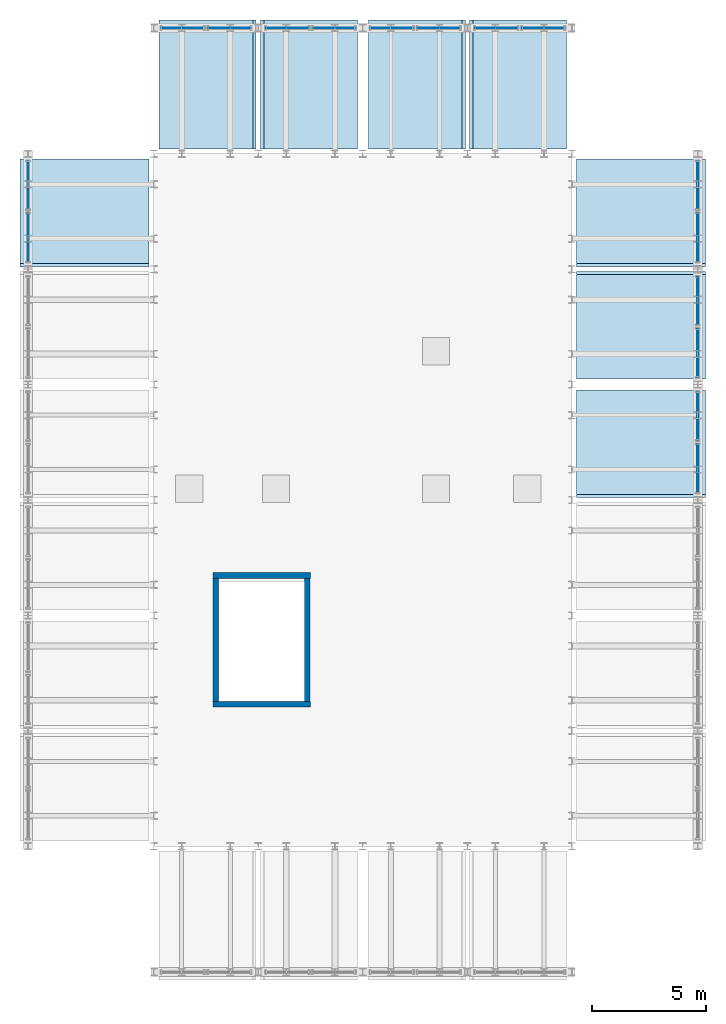
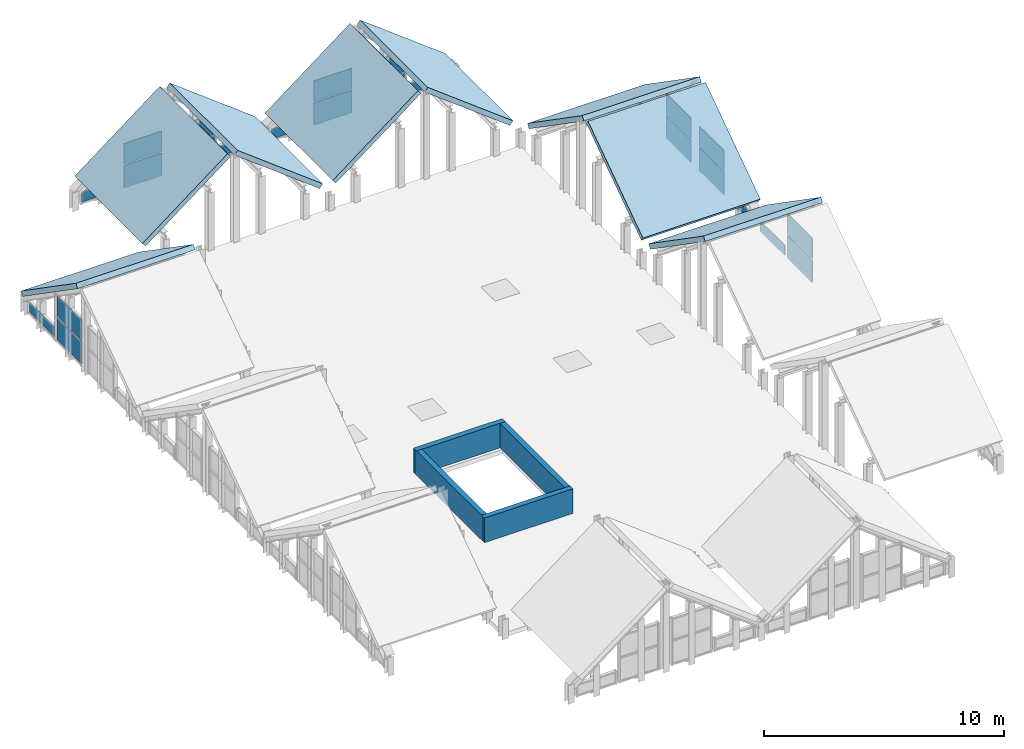
# One storey, part 21 of 21: 24 plates, 8 slabs, 4 walls, 16 elements without a shape of their own.
"""IFC4 building model written with IfcOpenShell, lengths in metres."""

from ifc_helpers import new_model, si_unit, direction, frame, frame_2d, origin, origin_2d, place, context, subcontext, project, spatial, polyline, rectangle, outline, extrude, source, transform, mapped, material, layer, layer_set, type_object, element, aggregate, save


model = new_model("IFC4")

# Units and contexts
model_context = context("Model", 3, precision=1e-05, world=origin(), true_north=direction((0.0, 1.0)))
body_context = subcontext(model_context, "Body", "Model", "MODEL_VIEW")
ifc_project = project(units=[si_unit("LENGTHUNIT", "METRE"), si_unit("AREAUNIT", "SQUARE_METRE"), si_unit("VOLUMEUNIT", "CUBIC_METRE"), si_unit("PLANEANGLEUNIT", "RADIAN"), si_unit("MASSUNIT", "GRAM", prefix="KILO")], contexts=[model_context])

# Site, building, storey
site_placement = place(None, origin())
site = spatial("IfcSite", under=ifc_project, at=site_placement, CompositionType="ELEMENT")
building_placement = place(site_placement, origin())
building = spatial("IfcBuilding", under=site, at=building_placement, Name="Saelheon Loggia Tower", CompositionType="ELEMENT")
storey_placement = place(building_placement, frame((0.0, 0.0, 275.0)))
storey = spatial("IfcBuildingStorey", under=building, at=storey_placement, Name="ROOF", CompositionType="ELEMENT", Elevation=275.0)

# Slabs
ifc_material_1 = material(Name="Precast Concrete C45/55", Category="concrete")
ifc_layer_1 = layer(ifc_material_1, 0.239990234375)
ifc_layer_set_1 = layer_set([ifc_layer_1], Name="Precast Concrete C45/55")
slab_type = type_object("IfcSlabType", Name="Slab_WaveRoof_240", PredefinedType="ROOF", material=ifc_layer_set_1)
slab_1_placement = place(storey_placement, frame((23.0, 37.340087890625, 4.3837890625), z_axis=(0.0, 0.569666537561, 0.821875924932), x_axis=(1.0, 0.0, 0.0)))
element("IfcSlab", 1, at=slab_1_placement, inside=storey, type_object=slab_type, Name="Crown Wave Crest Roof Facet 06", PredefinedType="ROOF", context=body_context, shape_type="SweptSolid", body=[
    extrude(outline(polyline([(0.0, 0.0), (5.64990234375, 0.0), (5.64990234375, 5.560236137987916), (0.0, 5.560236137987916), (0.0, 0.0)])), origin(), (0.0, 0.0, -1.0), 0.239990234375),
])
for number, where, z_axis, x_axis, name in (
    (2, (47.35009765625, 27.239990234375, 4.3837890625), (0.0, 0.56964598046, 0.821890173287), (1.0, 0.0, 0.0), "Crown Wave Crest Roof Facet 10"),
    (3, (47.35009765625, 32.2900390625, 1.21630859375), (0.0, -0.56964598046, 0.821890173287), (1.0, 0.0, 0.0), "Crown Wave Crest Roof Facet 11"),
):
    element("IfcSlab", number, at=place(storey_placement, frame(where, z_axis=z_axis, x_axis=x_axis)), inside=storey, type_object=slab_type, Name=name, PredefinedType="ROOF", context=body_context, shape_type="SweptSolid", body=[
        extrude(outline(polyline([(0.0, 0.0), (5.64990234375, 0.0), (5.64990234375, 5.560436793029233), (0.0, 5.560436793029233), (0.0, 0.0)])), origin(), (0.0, 0.0, -1.0), 0.239990234375),
    ])
slab_2_placement = place(storey_placement, frame((47.35009765625, 37.340087890625, 4.3837890625), z_axis=(0.0, 0.569666537561, 0.821875924932), x_axis=(1.0, 0.0, 0.0)))
element("IfcSlab", 4, at=slab_2_placement, inside=storey, type_object=slab_type, Name="Crown Wave Crest Roof Facet 12", PredefinedType="ROOF", context=body_context, shape_type="SweptSolid", body=[
    extrude(outline(polyline([(0.0, 0.0), (5.64990234375, 0.0), (5.64990234375, 5.560236137987916), (0.0, 5.560236137987916), (0.0, 0.0)])), origin(), (0.0, 0.0, -1.0), 0.239990234375),
])
for number, where, z_axis, x_axis, name in (
    (5, (29.090087890625, 42.35009765625, 1.233642578125), (-0.607617065771, 0.0, 0.794230131249), (0.0, 1.0, 0.0), "Crown Wave Crest Roof Facet 17"),
    (6, (33.6650390625, 42.35009765625, 4.366455078125), (0.607617065771, 0.0, 0.794230131249), (0.0, 1.0, 0.0), "Crown Wave Crest Roof Facet 18"),
    (7, (38.239990234375, 42.35009765625, 1.233642578125), (-0.607617065771, 0.0, 0.794230131249), (0.0, 1.0, 0.0), "Crown Wave Crest Roof Facet 19"),
    (8, (42.81494140625, 42.35009765625, 4.366455078125), (0.607617065771, 0.0, 0.794230131249), (0.0, 1.0, 0.0), "Crown Wave Crest Roof Facet 20"),
):
    element("IfcSlab", number, at=place(storey_placement, frame(where, z_axis=z_axis, x_axis=x_axis)), inside=storey, type_object=slab_type, Name=name, PredefinedType="ROOF", context=body_context, shape_type="SweptSolid", body=[
        extrude(outline(polyline([(0.0, 0.0), (5.64990234375, 0.0), (5.64990234375, -5.155899457864583), (0.0, -5.155899457864583), (0.0, 0.0)])), origin(), (0.0, 0.0, -1.0), 0.239990234375),
    ])

# Curtain wall, plate
ifc_material_2 = material(Name="Bronze-Anodised Aluminium and Fritted Ceramic Screen", Category="aluminium")
ifc_layer_2 = layer(ifc_material_2, 0.219970703125)
ifc_layer_set_2 = layer_set([ifc_layer_2], Name="Bronze-Anodised Aluminium and Fritted Ceramic Screen")
curtain_wall_type = type_object("IfcCurtainWallType", Name="CW_CrownScreen", PredefinedType="NOTDEFINED", material=ifc_layer_set_2)
curtain_wall_1_placement = place(storey_placement, origin())
curtain_wall_1 = element("IfcCurtainWall", 9, at=curtain_wall_1_placement, inside=storey, type_object=curtain_wall_type, Name="ROOF Wave Crest Curtain Wall W 06-2", PredefinedType="NOTDEFINED")
ifc_material_3 = material(Name="Bronze Ceramic Fritted Spandrel Panel", Category="aluminium")
ifc_layer_3 = layer(ifc_material_3, 0.0380859375)
ifc_layer_set_3 = layer_set([ifc_layer_3], Name="Bronze Ceramic Fritted Spandrel Panel")
plate_type = type_object("IfcPlateType", Name="CW_CrownScreen_Panel", PredefinedType="CURTAIN_PANEL", material=ifc_layer_set_3)
shared_shape_1 = source(origin(), body_context, "Body", "SweptSolid", [
    extrude(rectangle(XDim=2.06494140625, YDim=0.0380859375, at=origin_2d()), origin(), (0.0, 0.0, 1.0), 0.510009765625),
])
plate_1_placement = place(storey_placement, frame((23.35009765625, 40.767578125, 0.08984375), z_axis=(0.0, 0.0, 1.0), x_axis=(0.0, 1.0, 0.0)))
plate_1 = element("IfcPlate", 10, at=plate_1_placement, type_object=plate_type, Name="CW6 panel 1.1", PredefinedType="CURTAIN_PANEL", context=body_context, shape_type="MappedRepresentation", body=[
    mapped(shared_shape_1, transform((0.0, 0.0, 0.0), scale=1.0)),
])
aggregate(curtain_wall_1, [plate_1])

curtain_wall_2_placement = place(storey_placement, origin())
curtain_wall_2 = element("IfcCurtainWall", 11, at=curtain_wall_2_placement, inside=storey, type_object=curtain_wall_type, Name="ROOF Wave Crest Curtain Wall E 04-2", PredefinedType="NOTDEFINED")
plate_2_placement = place(storey_placement, frame((52.64990234375, 30.66748046875, 0.08984375), z_axis=(0.0, 0.0, 1.0), x_axis=(0.0, 1.0, 0.0)))
plate_2 = element("IfcPlate", 12, at=plate_2_placement, type_object=plate_type, Name="CW6 panel 1.1", PredefinedType="CURTAIN_PANEL", context=body_context, shape_type="MappedRepresentation", body=[
    mapped(shared_shape_1, transform((0.0, 0.0, 0.0), scale=1.0)),
])
aggregate(curtain_wall_2, [plate_2])

curtain_wall_3_placement = place(storey_placement, origin())
curtain_wall_3 = element("IfcCurtainWall", 13, at=curtain_wall_3_placement, inside=storey, type_object=curtain_wall_type, Name="ROOF Wave Crest Curtain Wall E 05-1", PredefinedType="NOTDEFINED")
plate_3_placement = place(storey_placement, frame((52.64990234375, 33.4326171875, 0.08984375), z_axis=(0.0, 0.0, 1.0), x_axis=(0.0, 1.0, 0.0)))
plate_3 = element("IfcPlate", 14, at=plate_3_placement, type_object=plate_type, Name="CW6 panel 1.1", PredefinedType="CURTAIN_PANEL", context=body_context, shape_type="MappedRepresentation", body=[
    mapped(shared_shape_1, transform((0.0, 0.0, 0.0), scale=1.0)),
])
aggregate(curtain_wall_3, [plate_3])

curtain_wall_4_placement = place(storey_placement, origin())
curtain_wall_4 = element("IfcCurtainWall", 15, at=curtain_wall_4_placement, inside=storey, type_object=curtain_wall_type, Name="ROOF Wave Crest Curtain Wall E 06-2", PredefinedType="NOTDEFINED")
plate_4_placement = place(storey_placement, frame((52.64990234375, 40.767578125, 0.08984375), z_axis=(0.0, 0.0, 1.0), x_axis=(0.0, 1.0, 0.0)))
plate_4 = element("IfcPlate", 16, at=plate_4_placement, type_object=plate_type, Name="CW6 panel 1.1", PredefinedType="CURTAIN_PANEL", context=body_context, shape_type="MappedRepresentation", body=[
    mapped(shared_shape_1, transform((0.0, 0.0, 0.0), scale=1.0)),
])
aggregate(curtain_wall_4, [plate_4])

curtain_wall_5_placement = place(storey_placement, origin())
curtain_wall_5 = element("IfcCurtainWall", 17, at=curtain_wall_5_placement, inside=storey, type_object=curtain_wall_type, Name="ROOF Wave Crest Curtain Wall W 06-1", PredefinedType="NOTDEFINED")
shared_shape_2 = source(origin(), body_context, "Body", "SweptSolid", [
    extrude(rectangle(XDim=2.06494140625, YDim=0.0380859375, at=origin_2d()), origin(), (0.0, 0.0, 1.0), 1.14501953125),
])
plate_5_placement = place(storey_placement, frame((23.35009765625, 38.482421875, 0.090087890625), z_axis=(0.0, 0.0, 1.0), x_axis=(0.0, 1.0, 0.0)))
plate_5 = element("IfcPlate", 18, at=plate_5_placement, type_object=plate_type, Name="CW6 panel 1.1", PredefinedType="CURTAIN_PANEL", context=body_context, shape_type="MappedRepresentation", body=[
    mapped(shared_shape_2, transform((0.0, 0.0, 0.0), scale=1.0)),
])

curtain_wall_6_placement = place(storey_placement, origin())
curtain_wall_6 = element("IfcCurtainWall", 19, at=curtain_wall_6_placement, inside=storey, type_object=curtain_wall_type, Name="ROOF Wave Crest Curtain Wall E 04-1", PredefinedType="NOTDEFINED")
plate_6_placement = place(storey_placement, frame((52.64990234375, 28.382568359375, 0.090087890625), z_axis=(0.0, 0.0, 1.0), x_axis=(0.0, 1.0, 0.0)))
plate_6 = element("IfcPlate", 20, at=plate_6_placement, type_object=plate_type, Name="CW6 panel 1.1", PredefinedType="CURTAIN_PANEL", context=body_context, shape_type="MappedRepresentation", body=[
    mapped(shared_shape_2, transform((0.0, 0.0, 0.0), scale=1.0)),
])

curtain_wall_7_placement = place(storey_placement, origin())
curtain_wall_7 = element("IfcCurtainWall", 21, at=curtain_wall_7_placement, inside=storey, type_object=curtain_wall_type, Name="ROOF Wave Crest Curtain Wall E 05-2", PredefinedType="NOTDEFINED")
plate_7_placement = place(storey_placement, frame((52.64990234375, 35.717529296875, 0.090087890625), z_axis=(0.0, 0.0, 1.0), x_axis=(0.0, 1.0, 0.0)))
plate_7 = element("IfcPlate", 22, at=plate_7_placement, type_object=plate_type, Name="CW6 panel 1.1", PredefinedType="CURTAIN_PANEL", context=body_context, shape_type="MappedRepresentation", body=[
    mapped(shared_shape_2, transform((0.0, 0.0, 0.0), scale=1.0)),
])

curtain_wall_8_placement = place(storey_placement, origin())
curtain_wall_8 = element("IfcCurtainWall", 23, at=curtain_wall_8_placement, inside=storey, type_object=curtain_wall_type, Name="ROOF Wave Crest Curtain Wall E 06-1", PredefinedType="NOTDEFINED")
plate_8_placement = place(storey_placement, frame((52.64990234375, 38.482421875, 0.090087890625), z_axis=(0.0, 0.0, 1.0), x_axis=(0.0, 1.0, 0.0)))
plate_8 = element("IfcPlate", 24, at=plate_8_placement, type_object=plate_type, Name="CW6 panel 1.1", PredefinedType="CURTAIN_PANEL", context=body_context, shape_type="MappedRepresentation", body=[
    mapped(shared_shape_2, transform((0.0, 0.0, 0.0), scale=1.0)),
])

# Plate
shared_shape_3 = source(origin(), body_context, "Body", "SweptSolid", [
    extrude(rectangle(XDim=2.06494140625, YDim=0.0380859375, at=origin_2d()), origin(), (0.0, 0.0, 1.0), 1.044921875),
])
plate_9_placement = place(storey_placement, frame((23.35009765625, 38.482421875, 1.304931640625), z_axis=(0.0, 0.0, 1.0), x_axis=(0.0, 1.0, 0.0)))
plate_9 = element("IfcPlate", 25, at=plate_9_placement, type_object=plate_type, Name="CW6 panel 1.2", PredefinedType="CURTAIN_PANEL", context=body_context, shape_type="MappedRepresentation", body=[
    mapped(shared_shape_3, transform((0.0, 0.0, 0.0), scale=1.0)),
])

aggregate(curtain_wall_5, [plate_5, plate_9])

plate_10_placement = place(storey_placement, frame((52.64990234375, 28.382568359375, 1.304931640625), z_axis=(0.0, 0.0, 1.0), x_axis=(0.0, 1.0, 0.0)))
plate_10 = element("IfcPlate", 26, at=plate_10_placement, type_object=plate_type, Name="CW6 panel 1.2", PredefinedType="CURTAIN_PANEL", context=body_context, shape_type="MappedRepresentation", body=[
    mapped(shared_shape_3, transform((0.0, 0.0, 0.0), scale=1.0)),
])

aggregate(curtain_wall_6, [plate_6, plate_10])

plate_11_placement = place(storey_placement, frame((52.64990234375, 35.717529296875, 1.304931640625), z_axis=(0.0, 0.0, 1.0), x_axis=(0.0, 1.0, 0.0)))
plate_11 = element("IfcPlate", 27, at=plate_11_placement, type_object=plate_type, Name="CW6 panel 1.2", PredefinedType="CURTAIN_PANEL", context=body_context, shape_type="MappedRepresentation", body=[
    mapped(shared_shape_3, transform((0.0, 0.0, 0.0), scale=1.0)),
])

aggregate(curtain_wall_7, [plate_7, plate_11])

plate_12_placement = place(storey_placement, frame((52.64990234375, 38.482421875, 1.304931640625), z_axis=(0.0, 0.0, 1.0), x_axis=(0.0, 1.0, 0.0)))
plate_12 = element("IfcPlate", 28, at=plate_12_placement, type_object=plate_type, Name="CW6 panel 1.2", PredefinedType="CURTAIN_PANEL", context=body_context, shape_type="MappedRepresentation", body=[
    mapped(shared_shape_3, transform((0.0, 0.0, 0.0), scale=1.0)),
])

aggregate(curtain_wall_8, [plate_8, plate_12])

# Curtain wall, plate
curtain_wall_9_placement = place(storey_placement, origin())
curtain_wall_9 = element("IfcCurtainWall", 29, at=curtain_wall_9_placement, inside=storey, type_object=curtain_wall_type, Name="ROOF Wave Crest Curtain Wall N 01-1", PredefinedType="NOTDEFINED")
shared_shape_4 = source(origin(), body_context, "Body", "SweptSolid", [
    extrude(rectangle(XDim=1.827392578125, YDim=0.0380859375, at=origin_2d()), origin(), (0.0, 0.0, 1.0), 0.510009765625),
])
plate_13_placement = place(storey_placement, frame((30.11376953125, 47.64990234375, 0.08984375), z_axis=(0.0, 0.0, 1.0), x_axis=(1.0, 0.0, 0.0)))
plate_13 = element("IfcPlate", 30, at=plate_13_placement, type_object=plate_type, Name="CW6 panel 1.1", PredefinedType="CURTAIN_PANEL", context=body_context, shape_type="MappedRepresentation", body=[
    mapped(shared_shape_4, transform((0.0, 0.0, 0.0), scale=1.0)),
])
aggregate(curtain_wall_9, [plate_13])

curtain_wall_10_placement = place(storey_placement, origin())
curtain_wall_10 = element("IfcCurtainWall", 31, at=curtain_wall_10_placement, inside=storey, type_object=curtain_wall_type, Name="ROOF Wave Crest Curtain Wall N 02-2", PredefinedType="NOTDEFINED")
plate_14_placement = place(storey_placement, frame((36.736328125, 47.64990234375, 0.08984375), z_axis=(0.0, 0.0, 1.0), x_axis=(1.0, 0.0, 0.0)))
plate_14 = element("IfcPlate", 32, at=plate_14_placement, type_object=plate_type, Name="CW6 panel 1.1", PredefinedType="CURTAIN_PANEL", context=body_context, shape_type="MappedRepresentation", body=[
    mapped(shared_shape_4, transform((0.0, 0.0, 0.0), scale=1.0)),
])
aggregate(curtain_wall_10, [plate_14])

curtain_wall_11_placement = place(storey_placement, origin())
curtain_wall_11 = element("IfcCurtainWall", 33, at=curtain_wall_11_placement, inside=storey, type_object=curtain_wall_type, Name="ROOF Wave Crest Curtain Wall N 03-1", PredefinedType="NOTDEFINED")
plate_15_placement = place(storey_placement, frame((39.263671875, 47.64990234375, 0.08984375), z_axis=(0.0, 0.0, 1.0), x_axis=(1.0, 0.0, 0.0)))
plate_15 = element("IfcPlate", 34, at=plate_15_placement, type_object=plate_type, Name="CW6 panel 1.1", PredefinedType="CURTAIN_PANEL", context=body_context, shape_type="MappedRepresentation", body=[
    mapped(shared_shape_4, transform((0.0, 0.0, 0.0), scale=1.0)),
])
aggregate(curtain_wall_11, [plate_15])

curtain_wall_12_placement = place(storey_placement, origin())
curtain_wall_12 = element("IfcCurtainWall", 35, at=curtain_wall_12_placement, inside=storey, type_object=curtain_wall_type, Name="ROOF Wave Crest Curtain Wall N 04-2", PredefinedType="NOTDEFINED")
plate_16_placement = place(storey_placement, frame((45.88623046875, 47.64990234375, 0.08984375), z_axis=(0.0, 0.0, 1.0), x_axis=(1.0, 0.0, 0.0)))
plate_16 = element("IfcPlate", 36, at=plate_16_placement, type_object=plate_type, Name="CW6 panel 1.1", PredefinedType="CURTAIN_PANEL", context=body_context, shape_type="MappedRepresentation", body=[
    mapped(shared_shape_4, transform((0.0, 0.0, 0.0), scale=1.0)),
])
aggregate(curtain_wall_12, [plate_16])

curtain_wall_13_placement = place(storey_placement, origin())
curtain_wall_13 = element("IfcCurtainWall", 37, at=curtain_wall_13_placement, inside=storey, type_object=curtain_wall_type, Name="ROOF Wave Crest Curtain Wall N 01-2", PredefinedType="NOTDEFINED")
shared_shape_5 = source(origin(), body_context, "Body", "SweptSolid", [
    extrude(rectangle(XDim=1.827392578125, YDim=0.0380859375, at=origin_2d()), origin(), (0.0, 0.0, 1.0), 1.14501953125),
])
plate_17_placement = place(storey_placement, frame((32.1611328125, 47.64990234375, 0.090087890625), z_axis=(0.0, 0.0, 1.0), x_axis=(1.0, 0.0, 0.0)))
plate_17 = element("IfcPlate", 38, at=plate_17_placement, type_object=plate_type, Name="CW6 panel 1.1", PredefinedType="CURTAIN_PANEL", context=body_context, shape_type="MappedRepresentation", body=[
    mapped(shared_shape_5, transform((0.0, 0.0, 0.0), scale=1.0)),
])

curtain_wall_14_placement = place(storey_placement, origin())
curtain_wall_14 = element("IfcCurtainWall", 39, at=curtain_wall_14_placement, inside=storey, type_object=curtain_wall_type, Name="ROOF Wave Crest Curtain Wall N 02-1", PredefinedType="NOTDEFINED")
plate_18_placement = place(storey_placement, frame((34.688720703125, 47.64990234375, 0.090087890625), z_axis=(0.0, 0.0, 1.0), x_axis=(1.0, 0.0, 0.0)))
plate_18 = element("IfcPlate", 40, at=plate_18_placement, type_object=plate_type, Name="CW6 panel 1.1", PredefinedType="CURTAIN_PANEL", context=body_context, shape_type="MappedRepresentation", body=[
    mapped(shared_shape_5, transform((0.0, 0.0, 0.0), scale=1.0)),
])

curtain_wall_15_placement = place(storey_placement, origin())
curtain_wall_15 = element("IfcCurtainWall", 41, at=curtain_wall_15_placement, inside=storey, type_object=curtain_wall_type, Name="ROOF Wave Crest Curtain Wall N 03-2", PredefinedType="NOTDEFINED")
plate_19_placement = place(storey_placement, frame((41.311279296875, 47.64990234375, 0.090087890625), z_axis=(0.0, 0.0, 1.0), x_axis=(1.0, 0.0, 0.0)))
plate_19 = element("IfcPlate", 42, at=plate_19_placement, type_object=plate_type, Name="CW6 panel 1.1", PredefinedType="CURTAIN_PANEL", context=body_context, shape_type="MappedRepresentation", body=[
    mapped(shared_shape_5, transform((0.0, 0.0, 0.0), scale=1.0)),
])

curtain_wall_16_placement = place(storey_placement, origin())
curtain_wall_16 = element("IfcCurtainWall", 43, at=curtain_wall_16_placement, inside=storey, type_object=curtain_wall_type, Name="ROOF Wave Crest Curtain Wall N 04-1", PredefinedType="NOTDEFINED")
plate_20_placement = place(storey_placement, frame((43.8388671875, 47.64990234375, 0.090087890625), z_axis=(0.0, 0.0, 1.0), x_axis=(1.0, 0.0, 0.0)))
plate_20 = element("IfcPlate", 44, at=plate_20_placement, type_object=plate_type, Name="CW6 panel 1.1", PredefinedType="CURTAIN_PANEL", context=body_context, shape_type="MappedRepresentation", body=[
    mapped(shared_shape_5, transform((0.0, 0.0, 0.0), scale=1.0)),
])

# Plate
shared_shape_6 = source(origin(), body_context, "Body", "SweptSolid", [
    extrude(rectangle(XDim=1.827392578125, YDim=0.0380859375, at=origin_2d()), origin(), (0.0, 0.0, 1.0), 1.044921875),
])
plate_21_placement = place(storey_placement, frame((32.1611328125, 47.64990234375, 1.304931640625), z_axis=(0.0, 0.0, 1.0), x_axis=(1.0, 0.0, 0.0)))
plate_21 = element("IfcPlate", 45, at=plate_21_placement, type_object=plate_type, Name="CW6 panel 1.2", PredefinedType="CURTAIN_PANEL", context=body_context, shape_type="MappedRepresentation", body=[
    mapped(shared_shape_6, transform((0.0, 0.0, 0.0), scale=1.0)),
])

aggregate(curtain_wall_13, [plate_17, plate_21])

plate_22_placement = place(storey_placement, frame((34.688720703125, 47.64990234375, 1.304931640625), z_axis=(0.0, 0.0, 1.0), x_axis=(1.0, 0.0, 0.0)))
plate_22 = element("IfcPlate", 46, at=plate_22_placement, type_object=plate_type, Name="CW6 panel 1.2", PredefinedType="CURTAIN_PANEL", context=body_context, shape_type="MappedRepresentation", body=[
    mapped(shared_shape_6, transform((0.0, 0.0, 0.0), scale=1.0)),
])

aggregate(curtain_wall_14, [plate_18, plate_22])

plate_23_placement = place(storey_placement, frame((41.311279296875, 47.64990234375, 1.304931640625), z_axis=(0.0, 0.0, 1.0), x_axis=(1.0, 0.0, 0.0)))
plate_23 = element("IfcPlate", 47, at=plate_23_placement, type_object=plate_type, Name="CW6 panel 1.2", PredefinedType="CURTAIN_PANEL", context=body_context, shape_type="MappedRepresentation", body=[
    mapped(shared_shape_6, transform((0.0, 0.0, 0.0), scale=1.0)),
])

aggregate(curtain_wall_15, [plate_19, plate_23])

plate_24_placement = place(storey_placement, frame((43.8388671875, 47.64990234375, 1.304931640625), z_axis=(0.0, 0.0, 1.0), x_axis=(1.0, 0.0, 0.0)))
plate_24 = element("IfcPlate", 48, at=plate_24_placement, type_object=plate_type, Name="CW6 panel 1.2", PredefinedType="CURTAIN_PANEL", context=body_context, shape_type="MappedRepresentation", body=[
    mapped(shared_shape_6, transform((0.0, 0.0, 0.0), scale=1.0)),
])

aggregate(curtain_wall_16, [plate_20, plate_24])

# Walls
ifc_material_4 = material(Name="Architectural Precast Concrete C40/50", Category="concrete")
ifc_layer_4 = layer(ifc_material_4, 0.25)
ifc_layer_set_4 = layer_set([ifc_layer_4], Name="Architectural Precast Concrete C40/50")
wall_type = type_object("IfcWallType", Name="Wall_Parapet_250", PredefinedType="PARAPET", material=ifc_layer_set_4)
for number, where, z_axis, x_axis, name in (
    (49, (31.56005859375, 18.06005859375, 0.0), (0.0, 0.0, 1.0), (0.0, 1.0, 0.0), "ROOF Stair ST5 Well Curb West"),
    (50, (35.570068359375, 18.06005859375, 0.0), (0.0, 0.0, 1.0), (0.0, 1.0, 0.0), "ROOF Stair ST5 Well Curb East"),
):
    element("IfcWall", number, at=place(storey_placement, frame(where, z_axis=z_axis, x_axis=x_axis)), inside=storey, type_object=wall_type, Name=name, PredefinedType="PARAPET", context=body_context, shape_type="SweptSolid", body=[
        extrude(rectangle(XDim=5.639892578125, YDim=0.25, at=frame_2d((2.81982421875, 0.0))), origin(), (0.0, 0.0, 1.0), 1.25),
    ])
for number, where, z_axis, x_axis, name in (
    (51, (31.43994140625, 18.06005859375, 0.0), (0.0, 0.0, 1.0), (1.0, 0.0, 0.0), "ROOF Stair ST5 Well Curb South"),
    (52, (31.43994140625, 23.699951171875, 0.0), (0.0, 0.0, 1.0), (1.0, 0.0, 0.0), "ROOF Stair ST5 Well Curb North"),
):
    element("IfcWall", number, at=place(storey_placement, frame(where, z_axis=z_axis, x_axis=x_axis)), inside=storey, type_object=wall_type, Name=name, PredefinedType="PARAPET", context=body_context, shape_type="SweptSolid", body=[
        extrude(rectangle(XDim=4.260009765625, YDim=0.25, at=frame_2d((2.1298828125, 0.0))), origin(), (0.0, 0.0, 1.0), 1.25),
    ])

save(model, "model.ifc")
